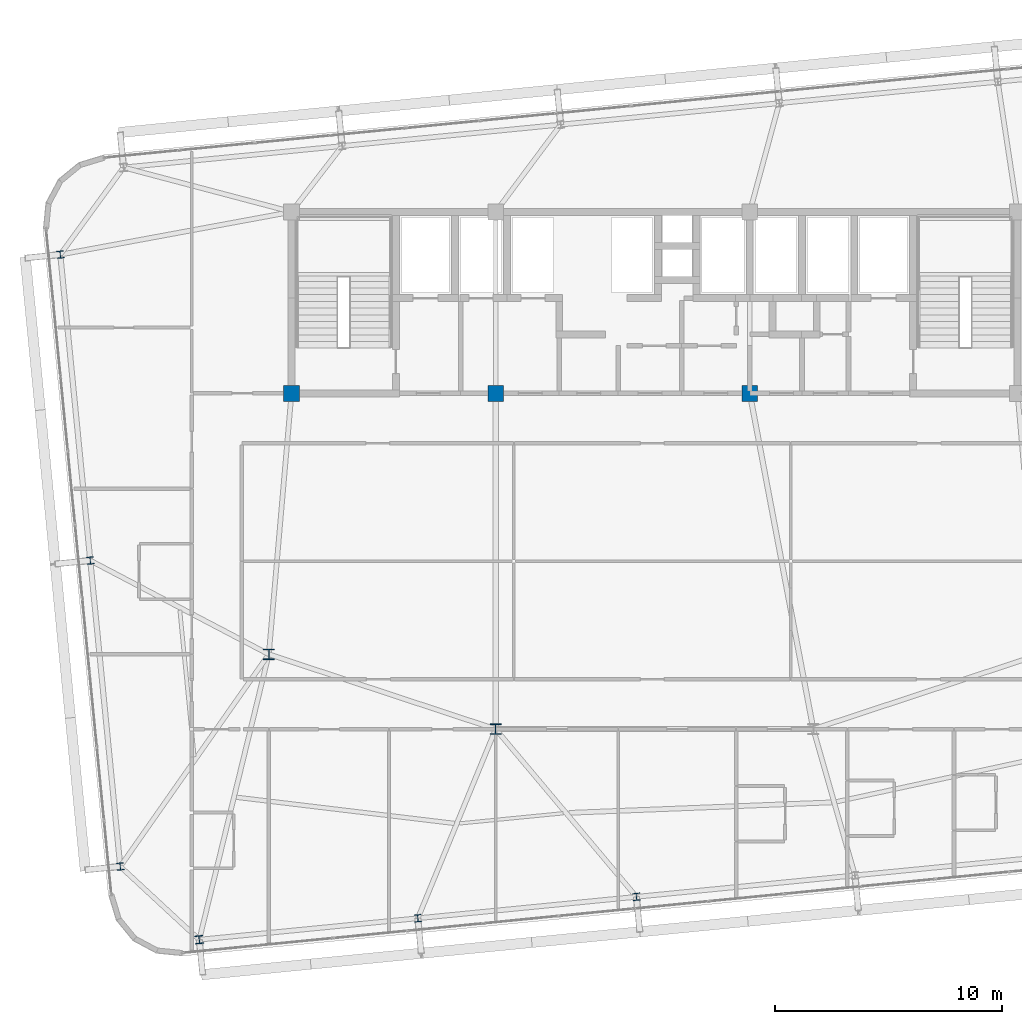
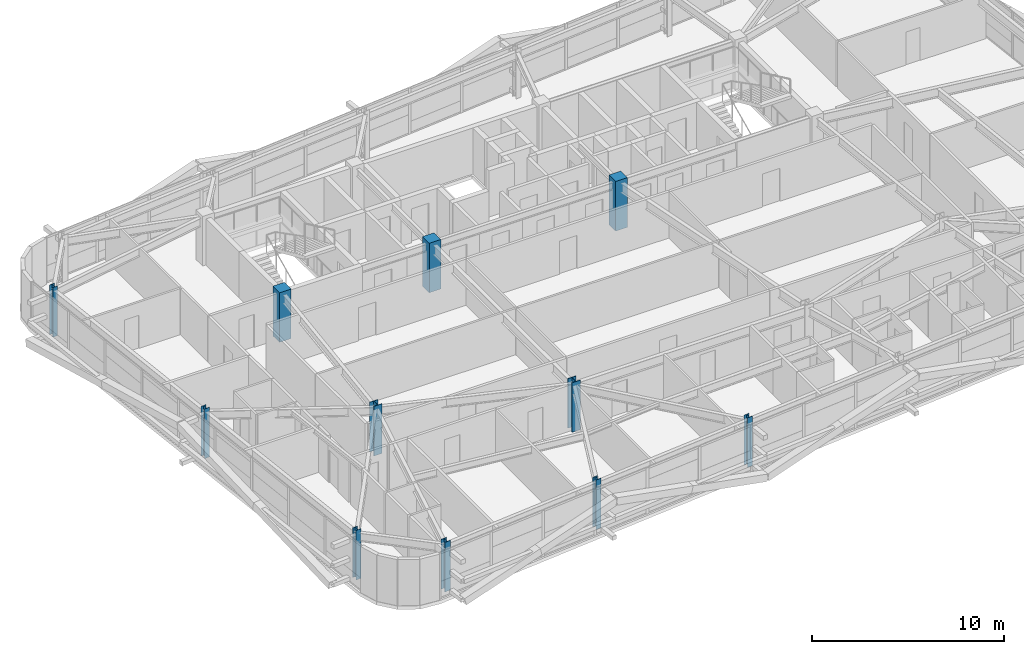
# One storey, part 1 of 54: 11 columns.
"""IFC4 building model written with IfcOpenShell, lengths in metres."""

from ifc_helpers import new_model, si_unit, direction, frame, origin, origin_2d, place, context, subcontext, project, spatial, rectangle, i_section, extrude, source, transform, mapped, material, material_profile, profile_set, type_object, element, save


model = new_model("IFC4")

# Units and contexts
model_context = context("Model", 3, precision=1e-05, world=origin(), true_north=direction((0.0, 1.0)))
body_context = subcontext(model_context, "Body", "Model", "MODEL_VIEW")
ifc_project = project(units=[si_unit("LENGTHUNIT", "METRE"), si_unit("AREAUNIT", "SQUARE_METRE"), si_unit("VOLUMEUNIT", "CUBIC_METRE"), si_unit("PLANEANGLEUNIT", "RADIAN"), si_unit("MASSUNIT", "GRAM", prefix="KILO")], contexts=[model_context])

# Site, building, storey
site_placement = place(None, origin())
site = spatial("IfcSite", under=ifc_project, at=site_placement, CompositionType="ELEMENT")
building_placement = place(site_placement, origin())
building = spatial("IfcBuilding", under=site, at=building_placement, Name="Taldren Reach Tower", CompositionType="ELEMENT")
storey_placement = place(building_placement, frame((0.0, 0.0, 99.75)))
storey = spatial("IfcBuildingStorey", under=building, at=storey_placement, Name="L30", CompositionType="ELEMENT", Elevation=99.75)

# Columns
ifc_material_1 = material(Name="Steel Gr 350 (350PLUS)", Category="steel")
ifc_material_profile_1 = material_profile(ifc_material_1, i_section(OverallWidth=0.5, OverallDepth=0.464111328125, WebThickness=0.02197265625, FlangeThickness=0.033935546875, at=origin_2d()), Name="500WC340")
ifc_profile_set_1 = profile_set([ifc_material_profile_1], Name="Steel Gr 350 (350PLUS)")
column_type_1 = type_object("IfcColumnType", Name="COL-WC500B", PredefinedType="COLUMN", material=ifc_profile_set_1)
shared_shape_1 = source(origin(), body_context, "Body", "SweptSolid", [
    extrude(i_section(OverallWidth=0.5, OverallDepth=0.464111328125, WebThickness=0.02197265625, FlangeThickness=0.033935546875, at=origin_2d()), origin(), (0.0, 0.0, 1.0), 3.14990234375),
])
for number, where, z_axis, x_axis, name in (
    (1, (28.0, 9.199951171875, 0.0), (0.0, 0.0, 1.0), (1.0, 0.0, 0.0), "Mega column MC-PJW L30"),
    (2, (18.0, 12.5, 0.0), (0.0, 0.0, 1.0), (1.0, 0.0, 0.0), "Mega column MC-SW L30"),
):
    element("IfcColumn", number, at=place(storey_placement, frame(where, z_axis=z_axis, x_axis=x_axis)), inside=storey, type_object=column_type_1, Name=name, PredefinedType="COLUMN", context=body_context, shape_type="MappedRepresentation", body=[
        mapped(shared_shape_1, transform((0.0, 0.0, 0.0), scale=1.0)),
    ])
ifc_material_2 = material(Name="Concrete S65 (65 MPa)", Category="concrete")
ifc_material_profile_2 = material_profile(ifc_material_2, rectangle(XDim=0.699951171875, YDim=0.699951171875, at=origin_2d()), Name="RC-700x700")
ifc_profile_set_2 = profile_set([ifc_material_profile_2], Name="Concrete S65 (65 MPa)")
column_type_2 = type_object("IfcColumnType", Name="COL-RC700", PredefinedType="COLUMN", material=ifc_profile_set_2)
shared_shape_2 = source(origin(), body_context, "Body", "SweptSolid", [
    extrude(rectangle(XDim=0.699951171875, YDim=0.699951171875, at=origin_2d()), origin(), (0.0, 0.0, 1.0), 3.14990234375),
])
for number, where, z_axis, x_axis, name in (
    (3, (19.0, 24.0, 0.0), (0.0, 0.0, 1.0), (1.0, 0.0, 0.0), "Mega column MC-C1 L30"),
    (4, (28.0, 24.0, 0.0), (0.0, 0.0, 1.0), (1.0, 0.0, 0.0), "Mega column MC-C2 L30"),
    (5, (39.199951171875, 24.0, 0.0), (0.0, 0.0, 1.0), (1.0, 0.0, 0.0), "Mega column MC-C3 L30"),
):
    element("IfcColumn", number, at=place(storey_placement, frame(where, z_axis=z_axis, x_axis=x_axis)), inside=storey, type_object=column_type_2, Name=name, PredefinedType="COLUMN", context=body_context, shape_type="MappedRepresentation", body=[
        mapped(shared_shape_2, transform((0.0, 0.0, 0.0), scale=1.0)),
    ])
ifc_material_profile_3 = material_profile(ifc_material_1, i_section(OverallWidth=0.35009765625, OverallDepth=0.35595703125, WebThickness=0.01806640625, FlangeThickness=0.028076171875, at=origin_2d()), Name="350WC197")
ifc_profile_set_3 = profile_set([ifc_material_profile_3], Name="Steel Gr 350 (350PLUS)")
column_type_3 = type_object("IfcColumnType", Name="COL-WC350", PredefinedType="COLUMN", material=ifc_profile_set_3)
shared_shape_3 = source(origin(), body_context, "Body", "SweptSolid", [
    extrude(i_section(OverallWidth=0.35009765625, OverallDepth=0.35595703125, WebThickness=0.01806640625, FlangeThickness=0.028076171875, at=origin_2d()), origin(), (0.0, 0.0, 1.0), 3.14990234375),
])
column_placement = place(storey_placement, frame((14.93408203125, -0.079833984375, 0.0), z_axis=(0.0, 0.0, 1.0), x_axis=(0.995227399982, 0.097582899759, 0.0)))
element("IfcColumn", 6, at=column_placement, inside=storey, type_object=column_type_3, Name="Block B2 perimeter column S1 L30", PredefinedType="COLUMN", context=body_context, shape_type="MappedRepresentation", body=[
    mapped(shared_shape_3, transform((0.0, 0.0, 0.0), scale=1.0)),
])
ifc_material_profile_4 = material_profile(ifc_material_1, i_section(OverallWidth=0.306884765625, OverallDepth=0.31494140625, WebThickness=0.011962890625, FlangeThickness=0.018798828125, at=origin_2d()), Name="310UC118")
ifc_profile_set_4 = profile_set([ifc_material_profile_4], Name="Steel Gr 350 (350PLUS)")
column_type_4 = type_object("IfcColumnType", Name="COL-UC310B", PredefinedType="COLUMN", material=ifc_profile_set_4)
shared_shape_4 = source(origin(), body_context, "Body", "SweptSolid", [
    extrude(i_section(OverallWidth=0.306884765625, OverallDepth=0.31494140625, WebThickness=0.011962890625, FlangeThickness=0.018798828125, at=origin_2d()), origin(), (0.0, 0.0, 1.0), 3.14990234375),
])
for number, where, z_axis, x_axis, name in (
    (7, (24.56787109375, 0.86474609375, 0.0), (0.0, 0.0, 1.0), (0.995227399982, 0.097582899759, 0.0), "Block B2 perimeter column S2 L30"),
    (8, (34.20166015625, 1.809326171875, 0.0), (0.0, 0.0, 1.0), (0.995227399982, 0.097582899759, 0.0), "Block B2 perimeter column S3 L30"),
    (9, (11.452880859375, 3.145751953125, 0.0), (0.0, 0.0, 1.0), (0.995227399982, 0.097582899759, 0.0), "Block B2 perimeter column W1 L30"),
    (10, (10.130615234375, 16.631103515625, 0.0), (0.0, 0.0, 1.0), (0.995227399982, 0.097582899759, 0.0), "Block B2 perimeter column W2 L30"),
    (11, (8.808349609375, 30.116455078125, 0.0), (0.0, 0.0, 1.0), (0.995227399982, 0.097582899759, 0.0), "Block B2 perimeter column W3 L30"),
):
    element("IfcColumn", number, at=place(storey_placement, frame(where, z_axis=z_axis, x_axis=x_axis)), inside=storey, type_object=column_type_4, Name=name, PredefinedType="COLUMN", context=body_context, shape_type="MappedRepresentation", body=[
        mapped(shared_shape_4, transform((0.0, 0.0, 0.0), scale=1.0)),
    ])

save(model, "model.ifc")
